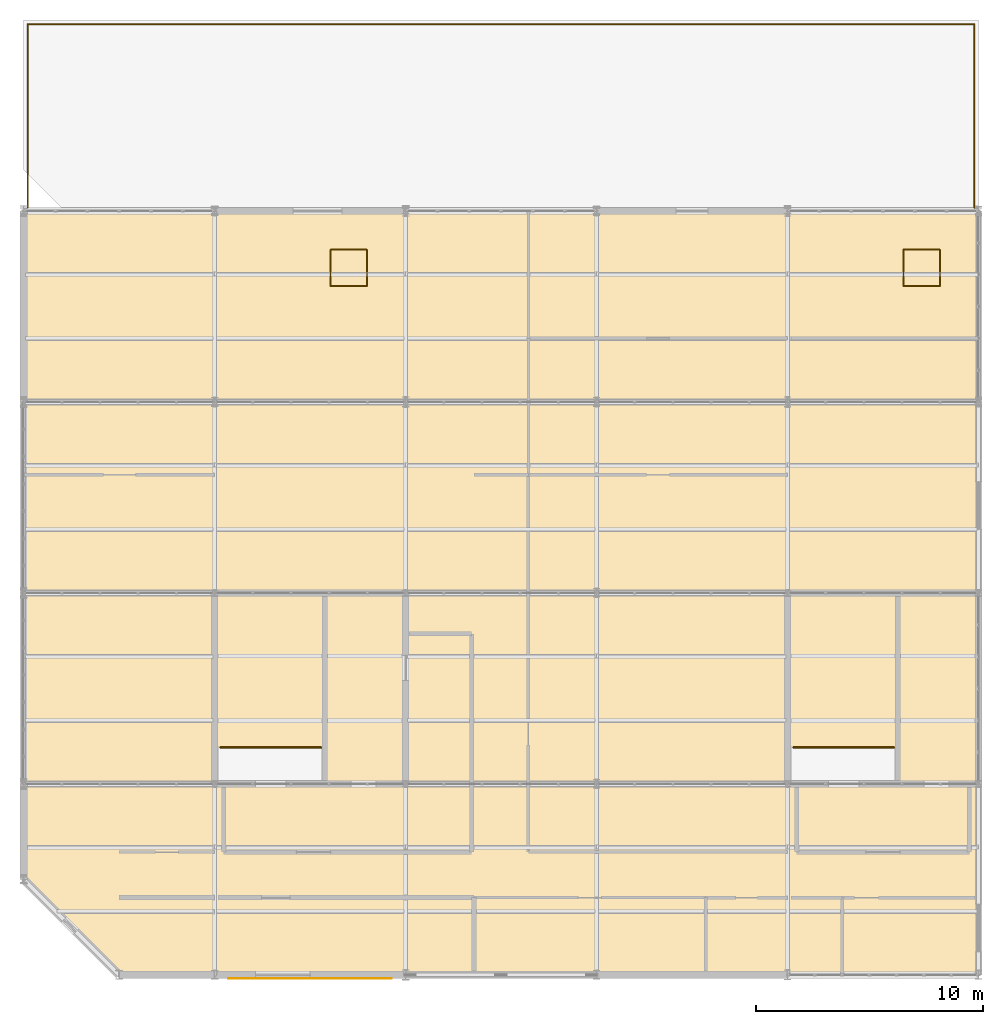
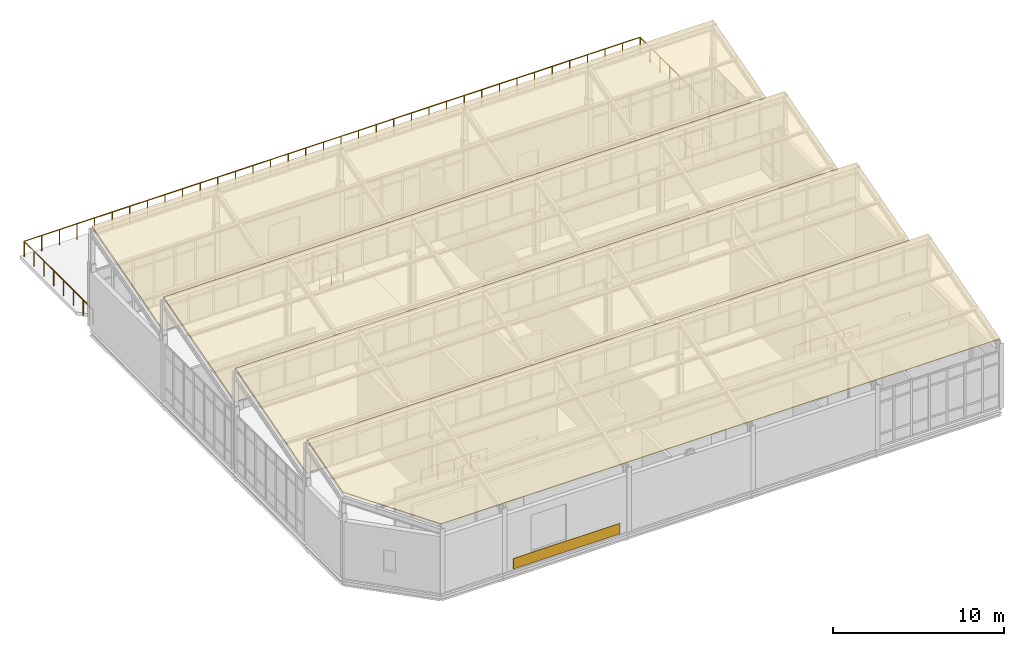
# One storey, part 53 of 53: 5 coverings, 5 railings.
"""IFC4 building model written with IfcOpenShell, lengths in metres."""

from ifc_helpers import new_model, si_unit, direction, frame, origin, origin_2d, place, context, subcontext, project, spatial, polyline, rectangle, circle, outline, extrude, material, layer, layer_set, type_object, element, save


model = new_model("IFC4")

# Units and contexts
model_context = context("Model", 3, precision=1e-05, world=origin(), true_north=direction((0.0, 1.0)))
body_context = subcontext(model_context, "Body", "Model", "MODEL_VIEW")
ifc_project = project(units=[si_unit("LENGTHUNIT", "METRE"), si_unit("AREAUNIT", "SQUARE_METRE"), si_unit("VOLUMEUNIT", "CUBIC_METRE"), si_unit("PLANEANGLEUNIT", "RADIAN"), si_unit("MASSUNIT", "GRAM", prefix="KILO")], contexts=[model_context])

# Site, building, storey
site_placement = place(None, origin())
site = spatial("IfcSite", under=ifc_project, at=site_placement, CompositionType="ELEMENT")
building_placement = place(site_placement, origin())
building = spatial("IfcBuilding", under=site, at=building_placement, Name="Qalvenar Corner Mobility Hub", CompositionType="ELEMENT")
storey_placement = place(building_placement, frame((0.0, 0.0, 26.39990234375)))
storey = spatial("IfcBuildingStorey", under=building, at=storey_placement, Name="L06", CompositionType="ELEMENT", Elevation=26.39990234375)

# Coverings
ifc_material_1 = material(Name="Kashikari Glazed Turquoise Faience Tile Cladding", Category="masonry")
ifc_layer_1 = layer(ifc_material_1, 0.034912109375)
ifc_layer_set_1 = layer_set([ifc_layer_1], Name="Kashikari Glazed Turquoise Faience Tile Cladding")
covering_type_1 = type_object("IfcCoveringType", Name="COV-CLAD-FAI", PredefinedType="CLADDING", material=ifc_layer_set_1)
covering_1_placement = place(storey_placement, frame((12.60009765625, -0.155029296875, 0.045166015625), z_axis=(0.0, 0.0, 1.0), x_axis=(1.0, 0.0, 0.0)))
element("IfcCovering", 1, at=covering_1_placement, inside=storey, type_object=covering_type_1, Name="Kashikari Faience Spandrel V3-L06-S1", PredefinedType="CLADDING", context=body_context, shape_type="SweptSolid", body=[
    extrude(rectangle(XDim=7.199951171875, YDim=0.034912109375, at=origin_2d()), origin(), (0.0, 0.0, 1.0), 0.75),
])
ifc_material_2 = material(Name="Solar-Reflective Standing-Seam Metal Roofing", Category="aluminium")
ifc_layer_2 = layer(ifc_material_2, 0.044921875)
ifc_layer_set_2 = layer_set([ifc_layer_2], Name="Solar-Reflective Standing-Seam Metal Roofing")
covering_type_2 = type_object("IfcCoveringType", Name="COV-ROOF-MEM", PredefinedType="ROOFING", material=ifc_layer_set_2)
covering_2_placement = place(storey_placement, frame((4.199951171875, 0.0, 4.85009765625), z_axis=(0.0, -0.274713745804, 0.96152605678), x_axis=(1.0, 0.0, 0.0)))
element("IfcCovering", 2, at=covering_2_placement, inside=storey, type_object=covering_type_2, Name="Standing-Seam Roof Covering V3-1", PredefinedType="ROOFING", context=body_context, shape_type="SweptSolid", body=[
    extrude(outline(polyline([(0.0, 0.0), (37.800048828125, 0.0), (37.800048828125, 8.73601114033593), (-4.199951171875, 8.73601114033593), (-4.199951171875, 4.368005570167965), (0.0, 0.0)])), origin(), (0.0, 0.0, -1.0), 0.044921875),
])
covering_3_placement = place(storey_placement, frame((0.0, 8.39990234375, 4.85009765625), z_axis=(0.0, -0.274706364092, 0.961528165748), x_axis=(1.0, 0.0, 0.0)))
element("IfcCovering", 3, at=covering_3_placement, inside=storey, type_object=covering_type_2, Name="Standing-Seam Roof Covering V3-2", PredefinedType="ROOFING", context=body_context, shape_type="SweptSolid", body=[
    extrude(outline(polyline([(0.0, 0.0), (42.0, 0.0), (42.0, 8.736245888165833), (0.0, 8.736245888165833), (0.0, 0.0)])), origin(), (0.0, 0.0, -1.0), 0.044921875),
])
covering_4_placement = place(storey_placement, frame((0.0, 16.800048828125, 4.85009765625), z_axis=(0.0, -0.274713745804, 0.96152605678), x_axis=(1.0, 0.0, 0.0)))
element("IfcCovering", 4, at=covering_4_placement, inside=storey, type_object=covering_type_2, Name="Standing-Seam Roof Covering V3-3", PredefinedType="ROOFING", context=body_context, shape_type="SweptSolid", body=[
    extrude(outline(polyline([(0.0, 0.0), (42.0, 0.0), (42.0, 8.736011140335933), (0.0, 8.736011140335933), (0.0, 0.0)])), origin(), (0.0, 0.0, -1.0), 0.044921875),
])
covering_5_placement = place(storey_placement, frame((0.0, 25.199951171875, 4.85009765625), z_axis=(0.0, -0.274706364092, 0.961528165748), x_axis=(1.0, 0.0, 0.0)))
element("IfcCovering", 5, at=covering_5_placement, inside=storey, type_object=covering_type_2, Name="Standing-Seam Roof Covering V3-4", PredefinedType="ROOFING", context=body_context, shape_type="SweptSolid", body=[
    extrude(outline(polyline([(0.0, 0.0), (42.0, 0.0), (42.0, 8.736245888165833), (0.0, 8.736245888165833), (0.0, 0.0)])), origin(), (0.0, 0.0, -1.0), 0.044921875),
])

# Railings
ifc_material_3 = material(Name="Art Nouveau Bronze-Finished Steel Balustrade", Category="steel")
railing_type_1 = type_object("IfcRailingType", Name="RL-GUARD-110", PredefinedType="GUARDRAIL", material=ifc_material_3)
railing_1_placement = place(storey_placement, frame((0.179931640625, 33.75, 0.0)))
element("IfcRailing", 6, at=railing_1_placement, inside=storey, type_object=railing_type_1, Name="Terrace Perimeter Guardrail TER-V3-L06", PredefinedType="GUARDRAIL", context=body_context, shape_type="SweptSolid", body=[
    extrude(circle(Radius=0.02392578125, at=origin_2d()), frame((0.0, 0.0, 1.09619140625), z_axis=(0.0, 1.0, 0.0), x_axis=(-1.0, 0.0, 0.0)), (0.0, 0.0, 1.0), 8.070068359375),
    extrude(circle(Radius=0.02392578125, at=origin_2d()), frame((0.0, 8.070068359375, 1.09619140625), z_axis=(1.0, 0.0, 0.0), x_axis=(0.0, 1.0, 0.0)), (0.0, 0.0, 1.0), 41.64013671875),
    extrude(circle(Radius=0.02392578125, at=origin_2d()), frame((41.64013671875, 8.070068359375, 1.09619140625), z_axis=(0.0, -1.0, 0.0), x_axis=(1.0, 0.0, 0.0)), (0.0, 0.0, 1.0), 8.070068359375),
    extrude(circle(Radius=0.02099609375, at=origin_2d()), origin(), (0.0, 0.0, 1.0), 1.072021484375),
    extrude(circle(Radius=0.02099609375, at=origin_2d()), frame((0.0, 1.15283203125, 0.0)), (0.0, 0.0, 1.0), 1.072021484375),
    extrude(circle(Radius=0.02099609375, at=origin_2d()), frame((0.0, 2.3056640625, 0.0)), (0.0, 0.0, 1.0), 1.072021484375),
    extrude(circle(Radius=0.02099609375, at=origin_2d()), frame((0.0, 3.45849609375, 0.0)), (0.0, 0.0, 1.0), 1.072021484375),
    extrude(circle(Radius=0.02099609375, at=origin_2d()), frame((0.0, 4.611572265625, 0.0)), (0.0, 0.0, 1.0), 1.072021484375),
    extrude(circle(Radius=0.02099609375, at=origin_2d()), frame((0.0, 5.764404296875, 0.0)), (0.0, 0.0, 1.0), 1.072021484375),
    extrude(circle(Radius=0.02099609375, at=origin_2d()), frame((0.0, 6.917236328125, 0.0)), (0.0, 0.0, 1.0), 1.072021484375),
    extrude(circle(Radius=0.02099609375, at=origin_2d()), frame((0.0, 8.070068359375, 0.0)), (0.0, 0.0, 1.0), 1.072021484375),
    extrude(circle(Radius=0.02099609375, at=origin_2d()), frame((1.189697265625, 8.070068359375, 0.0)), (0.0, 0.0, 1.0), 1.072021484375),
    extrude(circle(Radius=0.02099609375, at=origin_2d()), frame((2.37939453125, 8.070068359375, 0.0)), (0.0, 0.0, 1.0), 1.072021484375),
    extrude(circle(Radius=0.02099609375, at=origin_2d()), frame((3.569091796875, 8.070068359375, 0.0)), (0.0, 0.0, 1.0), 1.072021484375),
    extrude(circle(Radius=0.02099609375, at=origin_2d()), frame((4.7587890625, 8.070068359375, 0.0)), (0.0, 0.0, 1.0), 1.072021484375),
    extrude(circle(Radius=0.02099609375, at=origin_2d()), frame((5.948486328125, 8.070068359375, 0.0)), (0.0, 0.0, 1.0), 1.072021484375),
    extrude(circle(Radius=0.02099609375, at=origin_2d()), frame((7.138427734375, 8.070068359375, 0.0)), (0.0, 0.0, 1.0), 1.072021484375),
    extrude(circle(Radius=0.02099609375, at=origin_2d()), frame((8.328125, 8.070068359375, 0.0)), (0.0, 0.0, 1.0), 1.072021484375),
    extrude(circle(Radius=0.02099609375, at=origin_2d()), frame((9.517822265625, 8.070068359375, 0.0)), (0.0, 0.0, 1.0), 1.072021484375),
    extrude(circle(Radius=0.02099609375, at=origin_2d()), frame((10.70751953125, 8.070068359375, 0.0)), (0.0, 0.0, 1.0), 1.072021484375),
    extrude(circle(Radius=0.02099609375, at=origin_2d()), frame((11.897216796875, 8.070068359375, 0.0)), (0.0, 0.0, 1.0), 1.072021484375),
    extrude(circle(Radius=0.02099609375, at=origin_2d()), frame((13.0869140625, 8.070068359375, 0.0)), (0.0, 0.0, 1.0), 1.072021484375),
    extrude(circle(Radius=0.02099609375, at=origin_2d()), frame((14.276611328125, 8.070068359375, 0.0)), (0.0, 0.0, 1.0), 1.072021484375),
    extrude(circle(Radius=0.02099609375, at=origin_2d()), frame((15.46630859375, 8.070068359375, 0.0)), (0.0, 0.0, 1.0), 1.072021484375),
    extrude(circle(Radius=0.02099609375, at=origin_2d()), frame((16.656005859375, 8.070068359375, 0.0)), (0.0, 0.0, 1.0), 1.072021484375),
    extrude(circle(Radius=0.02099609375, at=origin_2d()), frame((17.845703125, 8.070068359375, 0.0)), (0.0, 0.0, 1.0), 1.072021484375),
    extrude(circle(Radius=0.02099609375, at=origin_2d()), frame((19.035400390625, 8.070068359375, 0.0)), (0.0, 0.0, 1.0), 1.072021484375),
    extrude(circle(Radius=0.02099609375, at=origin_2d()), frame((20.22509765625, 8.070068359375, 0.0)), (0.0, 0.0, 1.0), 1.072021484375),
    extrude(circle(Radius=0.02099609375, at=origin_2d()), frame((21.4150390625, 8.070068359375, 0.0)), (0.0, 0.0, 1.0), 1.072021484375),
    extrude(circle(Radius=0.02099609375, at=origin_2d()), frame((22.604736328125, 8.070068359375, 0.0)), (0.0, 0.0, 1.0), 1.072021484375),
    extrude(circle(Radius=0.02099609375, at=origin_2d()), frame((23.79443359375, 8.070068359375, 0.0)), (0.0, 0.0, 1.0), 1.072021484375),
    extrude(circle(Radius=0.02099609375, at=origin_2d()), frame((24.984130859375, 8.070068359375, 0.0)), (0.0, 0.0, 1.0), 1.072021484375),
    extrude(circle(Radius=0.02099609375, at=origin_2d()), frame((26.173828125, 8.070068359375, 0.0)), (0.0, 0.0, 1.0), 1.072021484375),
    extrude(circle(Radius=0.02099609375, at=origin_2d()), frame((27.363525390625, 8.070068359375, 0.0)), (0.0, 0.0, 1.0), 1.072021484375),
    extrude(circle(Radius=0.02099609375, at=origin_2d()), frame((28.55322265625, 8.070068359375, 0.0)), (0.0, 0.0, 1.0), 1.072021484375),
    extrude(circle(Radius=0.02099609375, at=origin_2d()), frame((29.742919921875, 8.070068359375, 0.0)), (0.0, 0.0, 1.0), 1.072021484375),
    extrude(circle(Radius=0.02099609375, at=origin_2d()), frame((30.9326171875, 8.070068359375, 0.0)), (0.0, 0.0, 1.0), 1.072021484375),
    extrude(circle(Radius=0.02099609375, at=origin_2d()), frame((32.122314453125, 8.070068359375, 0.0)), (0.0, 0.0, 1.0), 1.072021484375),
    extrude(circle(Radius=0.02099609375, at=origin_2d()), frame((33.31201171875, 8.070068359375, 0.0)), (0.0, 0.0, 1.0), 1.072021484375),
    extrude(circle(Radius=0.02099609375, at=origin_2d()), frame((34.501708984375, 8.070068359375, 0.0)), (0.0, 0.0, 1.0), 1.072021484375),
    extrude(circle(Radius=0.02099609375, at=origin_2d()), frame((35.691650390625, 8.070068359375, 0.0)), (0.0, 0.0, 1.0), 1.072021484375),
    extrude(circle(Radius=0.02099609375, at=origin_2d()), frame((36.88134765625, 8.070068359375, 0.0)), (0.0, 0.0, 1.0), 1.072021484375),
    extrude(circle(Radius=0.02099609375, at=origin_2d()), frame((38.071044921875, 8.070068359375, 0.0)), (0.0, 0.0, 1.0), 1.072021484375),
    extrude(circle(Radius=0.02099609375, at=origin_2d()), frame((39.2607421875, 8.070068359375, 0.0)), (0.0, 0.0, 1.0), 1.072021484375),
    extrude(circle(Radius=0.02099609375, at=origin_2d()), frame((40.450439453125, 8.070068359375, 0.0)), (0.0, 0.0, 1.0), 1.072021484375),
    extrude(circle(Radius=0.02099609375, at=origin_2d()), frame((41.64013671875, 8.070068359375, 0.0)), (0.0, 0.0, 1.0), 1.072021484375),
    extrude(circle(Radius=0.02099609375, at=origin_2d()), frame((41.64013671875, 6.917236328125, 0.0)), (0.0, 0.0, 1.0), 1.072021484375),
    extrude(circle(Radius=0.02099609375, at=origin_2d()), frame((41.64013671875, 5.764404296875, 0.0)), (0.0, 0.0, 1.0), 1.072021484375),
    extrude(circle(Radius=0.02099609375, at=origin_2d()), frame((41.64013671875, 4.611572265625, 0.0)), (0.0, 0.0, 1.0), 1.072021484375),
    extrude(circle(Radius=0.02099609375, at=origin_2d()), frame((41.64013671875, 3.45849609375, 0.0)), (0.0, 0.0, 1.0), 1.072021484375),
    extrude(circle(Radius=0.02099609375, at=origin_2d()), frame((41.64013671875, 2.3056640625, 0.0)), (0.0, 0.0, 1.0), 1.072021484375),
    extrude(circle(Radius=0.02099609375, at=origin_2d()), frame((41.64013671875, 1.15283203125, 0.0)), (0.0, 0.0, 1.0), 1.072021484375),
    extrude(circle(Radius=0.02099609375, at=origin_2d()), frame((41.64013671875, 0.0, 0.0)), (0.0, 0.0, 1.0), 1.072021484375),
])
railing_2_placement = place(storey_placement, frame((8.64990234375, 10.0, 0.0)))
element("IfcRailing", 7, at=railing_2_placement, inside=storey, type_object=railing_type_1, Name="Top Stair Landing Guard C1-L06", PredefinedType="GUARDRAIL", context=body_context, shape_type="SweptSolid", body=[
    extrude(circle(Radius=0.02392578125, at=origin_2d()), frame((0.0, 0.0, 1.09619140625), z_axis=(1.0, 0.0, 0.0), x_axis=(0.0, 1.0, 0.0)), (0.0, 0.0, 1.0), 4.4501953125),
    extrude(circle(Radius=0.02099609375, at=origin_2d()), origin(), (0.0, 0.0, 1.0), 1.072021484375),
    extrude(circle(Radius=0.02099609375, at=origin_2d()), frame((1.112548828125, 0.0, 0.0)), (0.0, 0.0, 1.0), 1.072021484375),
    extrude(circle(Radius=0.02099609375, at=origin_2d()), frame((2.22509765625, 0.0, 0.0)), (0.0, 0.0, 1.0), 1.072021484375),
    extrude(circle(Radius=0.02099609375, at=origin_2d()), frame((3.337646484375, 0.0, 0.0)), (0.0, 0.0, 1.0), 1.072021484375),
    extrude(circle(Radius=0.02099609375, at=origin_2d()), frame((4.4501953125, 0.0, 0.0)), (0.0, 0.0, 1.0), 1.072021484375),
])
railing_3_placement = place(storey_placement, frame((33.85009765625, 10.0, 0.0)))
element("IfcRailing", 8, at=railing_3_placement, inside=storey, type_object=railing_type_1, Name="Top Stair Landing Guard C2-L06", PredefinedType="GUARDRAIL", context=body_context, shape_type="SweptSolid", body=[
    extrude(circle(Radius=0.02392578125, at=origin_2d()), frame((0.0, 0.0, 1.09619140625), z_axis=(1.0, 0.0, 0.0), x_axis=(0.0, 1.0, 0.0)), (0.0, 0.0, 1.0), 4.449951171875),
    extrude(circle(Radius=0.02099609375, at=origin_2d()), origin(), (0.0, 0.0, 1.0), 1.072021484375),
    extrude(circle(Radius=0.02099609375, at=origin_2d()), frame((1.112548828125, 0.0, 0.0)), (0.0, 0.0, 1.0), 1.072021484375),
    extrude(circle(Radius=0.02099609375, at=origin_2d()), frame((2.22509765625, 0.0, 0.0)), (0.0, 0.0, 1.0), 1.072021484375),
    extrude(circle(Radius=0.02099609375, at=origin_2d()), frame((3.33740234375, 0.0, 0.0)), (0.0, 0.0, 1.0), 1.072021484375),
    extrude(circle(Radius=0.02099609375, at=origin_2d()), frame((4.449951171875, 0.0, 0.0)), (0.0, 0.0, 1.0), 1.072021484375),
])
ifc_material_4 = material(Name="Galvanised Steel Deck Edge Barrier", Category="steel")
railing_type_2 = type_object("IfcRailingType", Name="RL-GUARD-115", PredefinedType="GUARDRAIL", material=ifc_material_4)
for number, where, name in (
    (9, (13.5, 30.300048828125, 0.0), "Riser Opening Guard V3-A-L06"),
    (10, (38.699951171875, 30.300048828125, 0.0), "Riser Opening Guard V3-B-L06"),
):
    element("IfcRailing", number, at=place(storey_placement, frame(where)), inside=storey, type_object=railing_type_2, Name=name, PredefinedType="GUARDRAIL", context=body_context, shape_type="SweptSolid", body=[
        extrude(circle(Radius=0.02392578125, at=origin_2d()), frame((0.0, 0.0, 1.1259765625), z_axis=(1.0, 0.0, 0.0), x_axis=(0.0, 1.0, 0.0)), (0.0, 0.0, 1.0), 1.60009765625),
        extrude(circle(Radius=0.02392578125, at=origin_2d()), frame((1.60009765625, 0.0, 1.1259765625), z_axis=(0.0, 1.0, 0.0), x_axis=(-1.0, 0.0, 0.0)), (0.0, 0.0, 1.0), 1.599853515625),
        extrude(circle(Radius=0.02392578125, at=origin_2d()), frame((1.60009765625, 1.599853515625, 1.1259765625), z_axis=(-1.0, 0.0, 0.0), x_axis=(0.0, -1.0, 0.0)), (0.0, 0.0, 1.0), 1.60009765625),
        extrude(circle(Radius=0.02392578125, at=origin_2d()), frame((0.0, 1.599853515625, 1.1259765625), z_axis=(0.0, -1.0, 0.0), x_axis=(1.0, 0.0, 0.0)), (0.0, 0.0, 1.0), 1.599853515625),
        extrude(circle(Radius=0.02099609375, at=origin_2d()), origin(), (0.0, 0.0, 1.0), 1.101806640625),
        extrude(circle(Radius=0.02099609375, at=origin_2d()), frame((0.800048828125, 0.0, 0.0)), (0.0, 0.0, 1.0), 1.101806640625),
        extrude(circle(Radius=0.02099609375, at=origin_2d()), frame((1.60009765625, 0.0, 0.0)), (0.0, 0.0, 1.0), 1.101806640625),
        extrude(circle(Radius=0.02099609375, at=origin_2d()), frame((1.60009765625, 0.7998046875, 0.0)), (0.0, 0.0, 1.0), 1.101806640625),
        extrude(circle(Radius=0.02099609375, at=origin_2d()), frame((1.60009765625, 1.599853515625, 0.0)), (0.0, 0.0, 1.0), 1.101806640625),
        extrude(circle(Radius=0.02099609375, at=origin_2d()), frame((0.800048828125, 1.599853515625, 0.0)), (0.0, 0.0, 1.0), 1.101806640625),
        extrude(circle(Radius=0.02099609375, at=origin_2d()), frame((0.0, 1.599853515625, 0.0)), (0.0, 0.0, 1.0), 1.101806640625),
        extrude(circle(Radius=0.02099609375, at=origin_2d()), frame((0.0, 0.7998046875, 0.0)), (0.0, 0.0, 1.0), 1.101806640625),
    ])

save(model, "model.ifc")
